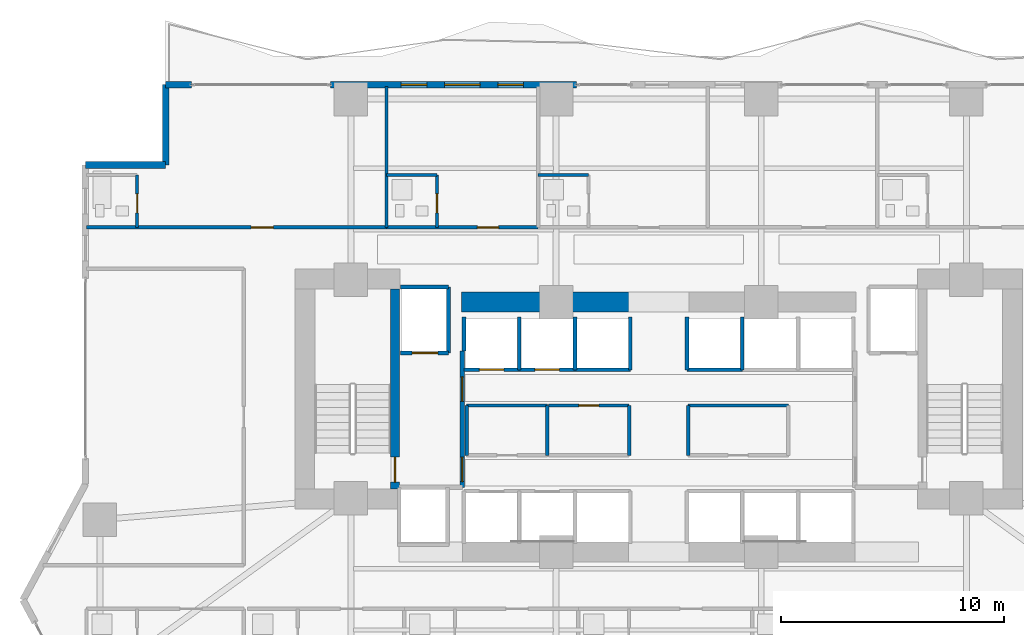
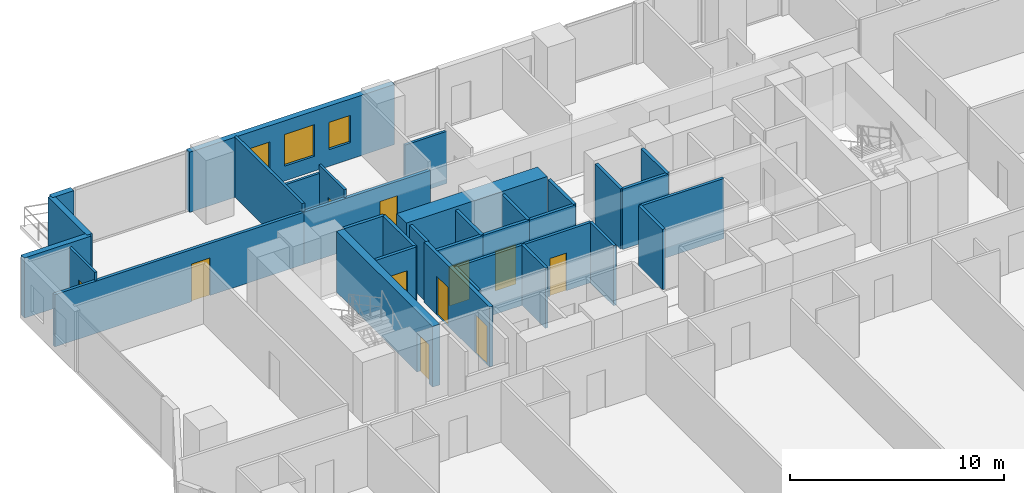
# One storey, part 21 of 28: 34 walls, 11 doors, 3 windows, 14 openings.
"""IFC4 building model written with IfcOpenShell, lengths in metres."""

from ifc_helpers import new_model, si_unit, direction, frame, frame_2d, origin, place, context, subcontext, project, spatial, rectangle, extrude, material, layer, layer_set, type_object, element, fill, save


model = new_model("IFC4")

# Units and contexts
model_context = context("Model", 3, precision=1e-05, world=origin(), true_north=direction((0.0, 1.0)))
body_context = subcontext(model_context, "Body", "Model", "MODEL_VIEW")
ifc_project = project(units=[si_unit("LENGTHUNIT", "METRE"), si_unit("AREAUNIT", "SQUARE_METRE"), si_unit("VOLUMEUNIT", "CUBIC_METRE"), si_unit("PLANEANGLEUNIT", "RADIAN"), si_unit("MASSUNIT", "GRAM", prefix="KILO")], contexts=[model_context])

# Site, building, storey
site_placement = place(None, origin())
site = spatial("IfcSite", under=ifc_project, at=site_placement, CompositionType="ELEMENT")
building_placement = place(site_placement, origin())
building = spatial("IfcBuilding", under=site, at=building_placement, Name="Zuhayl Quay Hotel", CompositionType="ELEMENT")
storey_placement = place(building_placement, frame((0.0, 0.0, 49.5)))
storey = spatial("IfcBuildingStorey", under=building, at=storey_placement, Name="L11", CompositionType="ELEMENT", Elevation=49.5)

# Walls
ifc_material_1 = material(Name="Concrete C70/85", Category="concrete")
ifc_layer_1 = layer(ifc_material_1, 0.89990234375, Name="Concrete C70/85", Category="concrete")
ifc_layer_set_1 = layer_set([ifc_layer_1], Name="Concrete C70/85")
wall_type_1 = type_object("IfcWallType", Name="WL_CORE_900", PredefinedType="SHEAR", material=ifc_layer_set_1)
wall_1_placement = place(storey_placement, frame((-8.85009765625, 13.35009765625, 0.0), z_axis=(0.0, 0.0, 1.0), x_axis=(1.0, 0.0, 0.0)))
element("IfcWall", 1, at=wall_1_placement, inside=storey, type_object=wall_type_1, Name="L11 Core Shear Wall CW_NC_W", PredefinedType="SHEAR", context=body_context, shape_type="SweptSolid", body=[
    extrude(rectangle(XDim=7.60009765625, YDim=0.89990234375, at=frame_2d((3.800048828125, 0.0))), origin(), (0.0, 0.0, 1.0), 3.429931640625),
])
ifc_material_2 = material(Name="Precast concrete C45/55", Category="concrete")
ifc_layer_2 = layer(ifc_material_2, 0.300048828125, Name="Precast concrete C45/55", Category="concrete")
ifc_layer_set_2 = layer_set([ifc_layer_2], Name="Precast concrete C45/55")
wall_type_2 = type_object("IfcWallType", Name="WL_EXT_300", PredefinedType="STANDARD", material=ifc_layer_set_2)
wall_2_placement = place(storey_placement, frame((-25.699951171875, 19.5, 0.0), z_axis=(0.0, 0.0, 1.0), x_axis=(1.0, 0.0, 0.0)))
element("IfcWall", 2, at=wall_2_placement, inside=storey, type_object=wall_type_2, Name="L11 Exterior Precast Wall ENV_L11_EW06", PredefinedType="STANDARD", context=body_context, shape_type="SweptSolid", body=[
    extrude(rectangle(XDim=3.599853515625, YDim=0.300048828125, at=frame_2d((1.7998046875, 0.0))), origin(), (0.0, 0.0, 1.0), 3.429931640625),
])
wall_3_placement = place(storey_placement, frame((-22.10009765625, 19.5, 0.0), z_axis=(0.0, 0.0, 1.0), x_axis=(0.0, 1.0, 0.0)))
element("IfcWall", 3, at=wall_3_placement, inside=storey, type_object=wall_type_2, Name="L11 Exterior Precast Wall ENV_L11_EW07", PredefinedType="STANDARD", context=body_context, shape_type="SweptSolid", body=[
    extrude(rectangle(XDim=3.60009765625, YDim=0.300048828125, at=frame_2d((1.800048828125, 0.0))), origin(), (0.0, 0.0, 1.0), 3.429931640625),
])
wall_4_placement = place(storey_placement, frame((-22.10009765625, 23.10009765625, 0.0), z_axis=(0.0, 0.0, 1.0), x_axis=(1.0, 0.0, 0.0)))
element("IfcWall", 4, at=wall_4_placement, inside=storey, type_object=wall_type_2, Name="L11 Exterior Precast Wall ENV_L11_N_EW1", PredefinedType="STANDARD", context=body_context, shape_type="SweptSolid", body=[
    extrude(rectangle(XDim=1.150146484375, YDim=0.300048828125, at=frame_2d((0.5751953125, 0.0))), origin(), (0.0, 0.0, 1.0), 3.429931640625),
])

# Wall, openings, windows
wall_5_placement = place(storey_placement, frame((-14.719970703125, 23.10009765625, 0.0), z_axis=(0.0, 0.0, 1.0), x_axis=(1.0, 0.0, 0.0)))
wall_5 = element("IfcWall", 5, at=wall_5_placement, inside=storey, type_object=wall_type_2, Name="L11 Exterior Precast Wall ENV_L11_N_EW2", PredefinedType="STANDARD", context=body_context, shape_type="SweptSolid", body=[
    extrude(rectangle(XDim=11.0400390625, YDim=0.300048828125, at=frame_2d((5.52001953125, 0.0))), origin(), (0.0, 0.0, 1.0), 3.429931640625),
])
opening_1_placement = place(wall_5_placement, frame((5.1201171875, 0.0, 0.85009765625)))
opening_1 = element("IfcOpeningElement", 6, at=opening_1_placement, cuts=wall_5, Name="Opening W01", PredefinedType="OPENING", context=body_context, shape_type="SweptSolid", body=[
    extrude(rectangle(XDim=1.60009765625, YDim=1.800048828125, at=frame_2d((0.800048828125, 0.89990234375))), frame((0.0, 0.159912109375, 0.0), z_axis=(0.0, -1.0, 0.0), x_axis=(1.0, 0.0, 0.0)), (0.0, 0.0, 1.0), 0.320068359375),
])
opening_2_placement = place(wall_5_placement, frame((3.179931640625, 0.0, 0.949951171875)))
opening_2 = element("IfcOpeningElement", 7, at=opening_2_placement, cuts=wall_5, Name="Opening W01N", PredefinedType="OPENING", context=body_context, shape_type="SweptSolid", body=[
    extrude(rectangle(XDim=1.14990234375, YDim=1.550048828125, at=frame_2d((0.574951171875, 0.77490234375))), frame((0.0, 0.159912109375, 0.0), z_axis=(0.0, -1.0, 0.0), x_axis=(1.0, 0.0, 0.0)), (0.0, 0.0, 1.0), 0.320068359375),
])
opening_3_placement = place(wall_5_placement, frame((7.510009765625, 0.0, 0.949951171875)))
opening_3 = element("IfcOpeningElement", 8, at=opening_3_placement, cuts=wall_5, Name="Opening W01N", PredefinedType="OPENING", context=body_context, shape_type="SweptSolid", body=[
    extrude(rectangle(XDim=1.14990234375, YDim=1.550048828125, at=frame_2d((0.574951171875, 0.77490234375))), frame((0.0, 0.159912109375, 0.0), z_axis=(0.0, -1.0, 0.0), x_axis=(1.0, 0.0, 0.0)), (0.0, 0.0, 1.0), 0.320068359375),
])
ifc_material_3 = material(Name="Dark Ceramic-Fritted Solar Glass", Category="glass")
window_type_1 = type_object("IfcWindowType", Name="WN_NOTCH_1350", PartitioningType="SINGLE_PANEL", PredefinedType="WINDOW", material=ifc_material_3)
window_1_placement = place(opening_2_placement, origin())
window_1 = element("IfcWindow", 9, at=window_1_placement, inside=storey, type_object=window_type_1, Name="L11 Operable Facade Window 2-1", OverallHeight=1.550048828125, OverallWidth=1.14990234375, PartitioningType="SINGLE_PANEL", PredefinedType="WINDOW", context=body_context, shape_type="SweptSolid", body=[
    extrude(rectangle(XDim=1.14990234375, YDim=1.550048828125, at=frame_2d((0.574951171875, 0.77490234375))), frame((0.0, 0.030029296875, 0.0), z_axis=(0.0, -1.0, 0.0), x_axis=(1.0, 0.0, 0.0)), (0.0, 0.0, 1.0), 0.06005859375),
])
fill(opening_2, window_1)
window_2_placement = place(opening_3_placement, origin())
window_2 = element("IfcWindow", 10, at=window_2_placement, inside=storey, type_object=window_type_1, Name="L11 Operable Facade Window 2-2", OverallHeight=1.550048828125, OverallWidth=1.14990234375, PartitioningType="SINGLE_PANEL", PredefinedType="WINDOW", context=body_context, shape_type="SweptSolid", body=[
    extrude(rectangle(XDim=1.14990234375, YDim=1.550048828125, at=frame_2d((0.574951171875, 0.77490234375))), frame((0.0, 0.030029296875, 0.0), z_axis=(0.0, -1.0, 0.0), x_axis=(1.0, 0.0, 0.0)), (0.0, 0.0, 1.0), 0.06005859375),
])
fill(opening_3, window_2)
window_type_2 = type_object("IfcWindowType", Name="WN_OPERABLE_1600", PartitioningType="DOUBLE_PANEL_VERTICAL", PredefinedType="WINDOW", material=ifc_material_3)
window_3_placement = place(opening_1_placement, origin())
window_3 = element("IfcWindow", 11, at=window_3_placement, inside=storey, type_object=window_type_2, Name="L11 North Operable Casement Window", OverallHeight=1.800048828125, OverallWidth=1.60009765625, PartitioningType="SINGLE_PANEL", PredefinedType="WINDOW", context=body_context, shape_type="SweptSolid", body=[
    extrude(rectangle(XDim=1.60009765625, YDim=1.800048828125, at=frame_2d((0.800048828125, 0.89990234375))), frame((0.0, 0.030029296875, 0.0), z_axis=(0.0, -1.0, 0.0), x_axis=(1.0, 0.0, 0.0)), (0.0, 0.0, 1.0), 0.06005859375),
])
fill(opening_1, window_3)

# Wall, opening, door
ifc_material_4 = material(Name="Acoustic Gypsum Partition STC-58")
ifc_layer_3 = layer(ifc_material_4, 0.14990234375, Name="Acoustic Gypsum Partition STC-58")
ifc_layer_set_3 = layer_set([ifc_layer_3], Name="Acoustic Gypsum Partition STC-58")
wall_type_3 = type_object("IfcWallType", Name="WL_PART_150", PredefinedType="PARTITIONING", material=ifc_layer_set_3)
wall_6_placement = place(storey_placement, frame((-4.929931640625, 8.719970703125, 0.0), z_axis=(0.0, 0.0, 1.0), x_axis=(1.0, 0.0, 0.0)))
wall_6 = element("IfcWall", 12, at=wall_6_placement, inside=storey, type_object=wall_type_3, Name="L11 Partition IW_L11_CORE_BM_N", PredefinedType="PARTITIONING", context=body_context, shape_type="SweptSolid", body=[
    extrude(rectangle(XDim=3.60986328125, YDim=0.14990234375, at=frame_2d((1.804931640625, 0.0))), origin(), (0.0, 0.0, 1.0), 3.429931640625),
])
opening_4_placement = place(wall_6_placement, frame((1.35498046875, 0.0, 0.0)))
opening_4 = element("IfcOpeningElement", 13, at=opening_4_placement, cuts=wall_6, Name="Opening D06", PredefinedType="OPENING", context=body_context, shape_type="SweptSolid", body=[
    extrude(rectangle(XDim=0.89990234375, YDim=2.14990234375, at=frame_2d((0.449951171875, 1.074951171875))), frame((0.0, 0.0849609375, 0.0), z_axis=(0.0, -1.0, 0.0), x_axis=(1.0, 0.0, 0.0)), (0.0, 0.0, 1.0), 0.169921875),
])
ifc_material_5 = material(Name="Steel ASTM A992 Grade 50", Category="steel")
door_type_1 = type_object("IfcDoorType", Name="DR_INT_900", OperationType="NOTDEFINED", PredefinedType="DOOR", material=ifc_material_5)
door_1_placement = place(opening_4_placement, origin())
door_1 = element("IfcDoor", 14, at=door_1_placement, inside=storey, type_object=door_type_1, Name="L11 Telecom and BMS Closet Door", OperationType="SINGLE_SWING_LEFT", OverallHeight=2.14990234375, OverallWidth=0.89990234375, PredefinedType="DOOR", context=body_context, shape_type="SweptSolid", body=[
    extrude(rectangle(XDim=0.89990234375, YDim=2.14990234375, at=frame_2d((0.449951171875, 1.074951171875))), frame((0.0, 0.02490234375, 0.0), z_axis=(0.0, -1.0, 0.0), x_axis=(1.0, 0.0, 0.0)), (0.0, 0.0, 1.0), 0.050048828125),
])
fill(opening_4, door_1)

# Walls
wall_7_placement = place(storey_placement, frame((-8.610107421875, 8.719970703125, 0.0), z_axis=(0.0, 0.0, 1.0), x_axis=(1.0, 0.0, 0.0)))
element("IfcWall", 15, at=wall_7_placement, inside=storey, type_object=wall_type_3, Name="L11 Partition IW_L11_CORE_SW_N", PredefinedType="PARTITIONING", context=body_context, shape_type="SweptSolid", body=[
    extrude(rectangle(XDim=3.6201171875, YDim=0.14990234375, at=frame_2d((1.81005859375, 0.0))), origin(), (0.0, 0.0, 1.0), 3.429931640625),
])
for number, where, z_axis, x_axis, name in (
    (16, (-8.610107421875, 6.47998046875, 0.0), (0.0, 0.0, 1.0), (0.0, 1.0, 0.0), "L11 Partition IW_L11_CORE_SW_W"),
    (17, (-4.989990234375, 6.47998046875, 0.0), (0.0, 0.0, 1.0), (0.0, 1.0, 0.0), "L11 Partition IW_L11_CORE_SW_E"),
    (18, (-1.320068359375, 6.47998046875, 0.0), (0.0, 0.0, 1.0), (0.0, 1.0, 0.0), "L11 Partition IW_L11_CORE_BM_E"),
):
    element("IfcWall", number, at=place(storey_placement, frame(where, z_axis=z_axis, x_axis=x_axis)), inside=storey, type_object=wall_type_3, Name=name, PredefinedType="PARTITIONING", context=body_context, shape_type="SweptSolid", body=[
        extrude(rectangle(XDim=2.239990234375, YDim=0.14990234375, at=frame_2d((1.1201171875, 0.0))), origin(), (0.0, 0.0, 1.0), 3.429931640625),
    ])
wall_8_placement = place(storey_placement, frame((1.320068359375, 8.719970703125, 0.0), z_axis=(0.0, 0.0, 1.0), x_axis=(1.0, 0.0, 0.0)))
element("IfcWall", 19, at=wall_8_placement, inside=storey, type_object=wall_type_3, Name="L11 Partition IW_L11_CORE_PN_N", PredefinedType="PARTITIONING", context=body_context, shape_type="SweptSolid", body=[
    extrude(rectangle(XDim=4.489990234375, YDim=0.14990234375, at=frame_2d((2.2451171875, 0.0))), origin(), (0.0, 0.0, 1.0), 3.429931640625),
])
wall_9_placement = place(storey_placement, frame((1.320068359375, 6.47998046875, 0.0), z_axis=(0.0, 0.0, 1.0), x_axis=(0.0, 1.0, 0.0)))
element("IfcWall", 20, at=wall_9_placement, inside=storey, type_object=wall_type_3, Name="L11 Partition IW_L11_CORE_PN_W", PredefinedType="PARTITIONING", context=body_context, shape_type="SweptSolid", body=[
    extrude(rectangle(XDim=2.239990234375, YDim=0.14990234375, at=frame_2d((1.1201171875, 0.0))), origin(), (0.0, 0.0, 1.0), 3.429931640625),
])
wall_10_placement = place(storey_placement, frame((-12.199951171875, 16.699951171875, 0.0), z_axis=(0.0, 0.0, 1.0), x_axis=(0.0, 1.0, 0.0)))
element("IfcWall", 21, at=wall_10_placement, inside=storey, type_object=wall_type_3, Name="L11 Partition IW_L11_NU01_E", PredefinedType="PARTITIONING", context=body_context, shape_type="SweptSolid", body=[
    extrude(rectangle(XDim=6.320068359375, YDim=0.14990234375, at=frame_2d((3.16015625, 0.0))), origin(), (0.0, 0.0, 1.0), 3.429931640625),
])

# Wall, opening, door
ifc_layer_4 = layer(ifc_material_4, 0.159912109375, Name="Acoustic Gypsum Partition STC-58")
ifc_layer_set_4 = layer_set([ifc_layer_4], Name="Acoustic Gypsum Partition STC-58")
wall_type_4 = type_object("IfcWallType", Name="WL_PART_CORR_160", PredefinedType="PARTITIONING", material=ifc_layer_set_4)
wall_11_placement = place(storey_placement, frame((-25.639892578125, 16.699951171875, 0.0), z_axis=(0.0, 0.0, 1.0), x_axis=(1.0, 0.0, 0.0)))
wall_11 = element("IfcWall", 22, at=wall_11_placement, inside=storey, type_object=wall_type_4, Name="L11 Partition IW_L11_NU01_COR", PredefinedType="PARTITIONING", context=body_context, shape_type="SweptSolid", body=[
    extrude(rectangle(XDim=13.43994140625, YDim=0.159912109375, at=frame_2d((6.719970703125, 0.0))), origin(), (0.0, 0.0, 1.0), 2.972900390625),
])
opening_5_placement = place(wall_11_placement, frame((7.3701171875, 0.0, 0.0)))
opening_5 = element("IfcOpeningElement", 23, at=opening_5_placement, cuts=wall_11, Name="Opening D03L", PredefinedType="OPENING", context=body_context, shape_type="SweptSolid", body=[
    extrude(rectangle(XDim=1.0, YDim=2.14990234375, at=frame_2d((0.5, 1.074951171875))), frame((0.0, 0.08984375, 0.0), z_axis=(0.0, -1.0, 0.0), x_axis=(1.0, 0.0, 0.0)), (0.0, 0.0, 1.0), 0.179931640625),
])
ifc_material_6 = material(Name="Solid Walnut Acoustic Fire Door")
door_type_2 = type_object("IfcDoorType", Name="DR_SUITE_1000", OperationType="NOTDEFINED", PredefinedType="DOOR", material=ifc_material_6)
door_2_placement = place(opening_5_placement, origin())
door_2 = element("IfcDoor", 24, at=door_2_placement, inside=storey, type_object=door_type_2, Name="L11 Deluxe Gulf Guest Room L11-01 Entrance Door", OperationType="SINGLE_SWING_RIGHT", OverallHeight=2.14990234375, OverallWidth=1.0, PredefinedType="DOOR", context=body_context, shape_type="SweptSolid", body=[
    extrude(rectangle(XDim=1.0, YDim=2.14990234375, at=frame_2d((0.5, 1.074951171875))), frame((0.0, 0.02490234375, 0.0), z_axis=(0.0, -1.0, 0.0), x_axis=(1.0, 0.0, 0.0)), (0.0, 0.0, 1.0), 0.050048828125),
])
fill(opening_5, door_2)

wall_12_placement = place(storey_placement, frame((-12.199951171875, 16.699951171875, 0.0), z_axis=(0.0, 0.0, 1.0), x_axis=(1.0, 0.0, 0.0)))
wall_12 = element("IfcWall", 25, at=wall_12_placement, inside=storey, type_object=wall_type_4, Name="L11 Partition IW_L11_NU02_COR", PredefinedType="PARTITIONING", context=body_context, shape_type="SweptSolid", body=[
    extrude(rectangle(XDim=6.800048828125, YDim=0.159912109375, at=frame_2d((3.39990234375, 0.0))), origin(), (0.0, 0.0, 1.0), 2.972900390625),
])
opening_6_placement = place(wall_12_placement, frame((4.074951171875, 0.0, 0.0)))
opening_6 = element("IfcOpeningElement", 26, at=opening_6_placement, cuts=wall_12, Name="Opening D03", PredefinedType="OPENING", context=body_context, shape_type="SweptSolid", body=[
    extrude(rectangle(XDim=0.949951171875, YDim=2.14990234375, at=frame_2d((0.47509765625, 1.074951171875))), frame((0.0, 0.08984375, 0.0), z_axis=(0.0, -1.0, 0.0), x_axis=(1.0, 0.0, 0.0)), (0.0, 0.0, 1.0), 0.179931640625),
])
door_type_3 = type_object("IfcDoorType", Name="DR_SUITE_950", OperationType="NOTDEFINED", PredefinedType="DOOR", material=ifc_material_6)
door_3_placement = place(opening_6_placement, origin())
door_3 = element("IfcDoor", 27, at=door_3_placement, inside=storey, type_object=door_type_3, Name="L11 Deluxe Gulf Guest Room L11-02 Entrance Door", OperationType="SINGLE_SWING_RIGHT", OverallHeight=2.14990234375, OverallWidth=0.949951171875, PredefinedType="DOOR", context=body_context, shape_type="SweptSolid", body=[
    extrude(rectangle(XDim=0.949951171875, YDim=2.14990234375, at=frame_2d((0.47509765625, 1.074951171875))), frame((0.0, 0.02490234375, 0.0), z_axis=(0.0, -1.0, 0.0), x_axis=(1.0, 0.0, 0.0)), (0.0, 0.0, 1.0), 0.050048828125),
])
fill(opening_6, door_3)

ifc_material_7 = material(Name="Moisture-Resistant Sanitarychase Gypsum")
ifc_layer_5 = layer(ifc_material_7, 0.135009765625, Name="Moisture-Resistant Sanitarychase Gypsum")
ifc_layer_set_5 = layer_set([ifc_layer_5], Name="Moisture-Resistant Sanitarychase Gypsum")
wall_type_5 = type_object("IfcWallType", Name="WL_PART_PLUMB_150", PredefinedType="PLUMBINGWALL", material=ifc_layer_set_5)
wall_13_placement = place(storey_placement, frame((-23.3798828125, 16.699951171875, 0.0), z_axis=(0.0, 0.0, 1.0), x_axis=(0.0, 1.0, 0.0)))
wall_13 = element("IfcWall", 28, at=wall_13_placement, inside=storey, type_object=wall_type_5, Name="L11 Partition IW_L11_NU01_BE", PredefinedType="PLUMBINGWALL", context=body_context, shape_type="SweptSolid", body=[
    extrude(rectangle(XDim=2.360107421875, YDim=0.135009765625, at=frame_2d((1.18017578125, 0.0))), origin(), (0.0, 0.0, 1.0), 3.429931640625),
])
opening_7_placement = place(wall_13_placement, frame((0.64990234375, 0.0, 0.0)))
opening_7 = element("IfcOpeningElement", 29, at=opening_7_placement, cuts=wall_13, Name="Opening D04", PredefinedType="OPENING", context=body_context, shape_type="SweptSolid", body=[
    extrude(rectangle(XDim=0.85009765625, YDim=2.10009765625, at=frame_2d((0.425048828125, 1.050048828125))), frame((0.0, 0.077392578125, 0.0), z_axis=(0.0, -1.0, 0.0), x_axis=(1.0, 0.0, 0.0)), (0.0, 0.0, 1.0), 0.155029296875),
])
ifc_material_8 = material(Name="Moisture-Resistant Walnut Veneer")
door_type_4 = type_object("IfcDoorType", Name="DR_BATH_850", OperationType="NOTDEFINED", PredefinedType="DOOR", material=ifc_material_8)
door_4_placement = place(opening_7_placement, origin())
door_4 = element("IfcDoor", 30, at=door_4_placement, inside=storey, type_object=door_type_4, Name="L11 Deluxe Gulf Guest Room L11-01 En-Suite Door", OperationType="SINGLE_SWING_LEFT", OverallHeight=2.10009765625, OverallWidth=0.85009765625, PredefinedType="DOOR", context=body_context, shape_type="SweptSolid", body=[
    extrude(rectangle(XDim=0.85009765625, YDim=2.10009765625, at=frame_2d((0.425048828125, 1.050048828125))), frame((0.0, 0.02490234375, 0.0), z_axis=(0.0, -1.0, 0.0), x_axis=(1.0, 0.0, 0.0)), (0.0, 0.0, 1.0), 0.050048828125),
])
fill(opening_7, door_4)

wall_14_placement = place(storey_placement, frame((-9.93994140625, 16.699951171875, 0.0), z_axis=(0.0, 0.0, 1.0), x_axis=(0.0, 1.0, 0.0)))
wall_14 = element("IfcWall", 31, at=wall_14_placement, inside=storey, type_object=wall_type_5, Name="L11 Partition IW_L11_NU02_BE", PredefinedType="PLUMBINGWALL", context=body_context, shape_type="SweptSolid", body=[
    extrude(rectangle(XDim=2.360107421875, YDim=0.135009765625, at=frame_2d((1.18017578125, 0.0))), origin(), (0.0, 0.0, 1.0), 3.429931640625),
])
opening_8_placement = place(wall_14_placement, frame((0.64990234375, 0.0, 0.0)))
opening_8 = element("IfcOpeningElement", 32, at=opening_8_placement, cuts=wall_14, Name="Opening D04", PredefinedType="OPENING", context=body_context, shape_type="SweptSolid", body=[
    extrude(rectangle(XDim=0.85009765625, YDim=2.10009765625, at=frame_2d((0.425048828125, 1.050048828125))), frame((0.0, 0.077392578125, 0.0), z_axis=(0.0, -1.0, 0.0), x_axis=(1.0, 0.0, 0.0)), (0.0, 0.0, 1.0), 0.155029296875),
])
door_5_placement = place(opening_8_placement, origin())
door_5 = element("IfcDoor", 33, at=door_5_placement, inside=storey, type_object=door_type_4, Name="L11 Deluxe Gulf Guest Room L11-02 En-Suite Door", OperationType="SINGLE_SWING_LEFT", OverallHeight=2.10009765625, OverallWidth=0.85009765625, PredefinedType="DOOR", context=body_context, shape_type="SweptSolid", body=[
    extrude(rectangle(XDim=0.85009765625, YDim=2.10009765625, at=frame_2d((0.425048828125, 1.050048828125))), frame((0.0, 0.02490234375, 0.0), z_axis=(0.0, -1.0, 0.0), x_axis=(1.0, 0.0, 0.0)), (0.0, 0.0, 1.0), 0.050048828125),
])
fill(opening_8, door_5)

# Walls
for number, where, z_axis, x_axis, name in (
    (34, (-12.199951171875, 19.06005859375, 0.0), (0.0, 0.0, 1.0), (1.0, 0.0, 0.0), "L11 Partition IW_L11_NU02_BN"),
    (35, (-5.39990234375, 19.06005859375, 0.0), (0.0, 0.0, 1.0), (1.0, 0.0, 0.0), "L11 Partition IW_L11_NU03_BN"),
):
    element("IfcWall", number, at=place(storey_placement, frame(where, z_axis=z_axis, x_axis=x_axis)), inside=storey, type_object=wall_type_5, Name=name, PredefinedType="PLUMBINGWALL", context=body_context, shape_type="SweptSolid", body=[
        extrude(rectangle(XDim=2.260009765625, YDim=0.135009765625, at=frame_2d((1.1298828125, 0.0))), origin(), (0.0, 0.0, 1.0), 2.972900390625),
    ])

# Wall, opening, door
ifc_material_9 = material(Name="Gypsum Fireboard Assembly EI-90")
ifc_layer_6 = layer(ifc_material_9, 0.1650390625, Name="Gypsum Fireboard Assembly EI-90")
ifc_layer_set_6 = layer_set([ifc_layer_6], Name="Gypsum Fireboard Assembly EI-90")
wall_type_6 = type_object("IfcWallType", Name="WL_PART_SHAFT_160", PredefinedType="PARTITIONING", material=ifc_layer_set_6)
wall_15_placement = place(storey_placement, frame((-11.580078125, 11.070068359375, 0.0), z_axis=(0.0, 0.0, 1.0), x_axis=(1.0, 0.0, 0.0)))
wall_15 = element("IfcWall", 36, at=wall_15_placement, inside=storey, type_object=wall_type_6, Name="L11 Partition IW_L11_SH_FL1_F", PredefinedType="PARTITIONING", context=body_context, shape_type="SweptSolid", body=[
    extrude(rectangle(XDim=2.16015625, YDim=0.1650390625, at=frame_2d((1.080078125, 0.0))), origin(), (0.0, 0.0, 1.0), 3.429931640625),
])
opening_9_placement = place(wall_15_placement, frame((0.530029296875, 0.0, 0.0)))
opening_9 = element("IfcOpeningElement", 37, at=opening_9_placement, cuts=wall_15, Name="Opening LD2", PredefinedType="OPENING", context=body_context, shape_type="SweptSolid", body=[
    extrude(rectangle(XDim=1.14990234375, YDim=2.25, at=frame_2d((0.574951171875, 1.125))), frame((0.0, 0.092529296875, 0.0), z_axis=(0.0, -1.0, 0.0), x_axis=(1.0, 0.0, 0.0)), (0.0, 0.0, 1.0), 0.18505859375),
])
ifc_material_10 = material(Name="Brushed Stainless Steel", Category="steel")
door_type_5 = type_object("IfcDoorType", Name="DR_LIFT_FF_1100", OperationType="SLIDING_TO_LEFT", PredefinedType="DOOR", material=ifc_material_10)
door_6_placement = place(opening_9_placement, origin())
door_6 = element("IfcDoor", 38, at=door_6_placement, inside=storey, type_object=door_type_5, Name="L11 Lift FL1 Sliding Landing Door", OperationType="SLIDING_TO_LEFT", OverallHeight=2.25, OverallWidth=1.14990234375, PredefinedType="DOOR", context=body_context, shape_type="SweptSolid", body=[
    extrude(rectangle(XDim=1.14990234375, YDim=2.25, at=frame_2d((0.574951171875, 1.125))), frame((0.0, 0.02490234375, 0.0), z_axis=(0.0, -1.0, 0.0), x_axis=(1.0, 0.0, 0.0)), (0.0, 0.0, 1.0), 0.050048828125),
])
fill(opening_9, door_6)

wall_16_placement = place(storey_placement, frame((-8.72998046875, 10.320068359375, 0.0), z_axis=(0.0, 0.0, 1.0), x_axis=(1.0, 0.0, 0.0)))
wall_16 = element("IfcWall", 39, at=wall_16_placement, inside=storey, type_object=wall_type_6, Name="L11 Partition IW_L11_SH_LP3_F", PredefinedType="PARTITIONING", context=body_context, shape_type="SweptSolid", body=[
    extrude(rectangle(XDim=2.47998046875, YDim=0.1650390625, at=frame_2d((1.239990234375, 0.0))), origin(), (0.0, 0.0, 1.0), 3.429931640625),
])
opening_10_placement = place(wall_16_placement, frame((0.68994140625, 0.0, 0.0)))
opening_10 = element("IfcOpeningElement", 40, at=opening_10_placement, cuts=wall_16, Name="Opening LD1", PredefinedType="OPENING", context=body_context, shape_type="SweptSolid", body=[
    extrude(rectangle(XDim=1.10009765625, YDim=2.25, at=frame_2d((0.550048828125, 1.125))), frame((0.0, 0.092529296875, 0.0), z_axis=(0.0, -1.0, 0.0), x_axis=(1.0, 0.0, 0.0)), (0.0, 0.0, 1.0), 0.18505859375),
])
door_type_6 = type_object("IfcDoorType", Name="DR_LIFT_PASS_1100", OperationType="SLIDING_TO_LEFT", PredefinedType="DOOR", material=ifc_material_10)
door_7_placement = place(opening_10_placement, origin())
door_7 = element("IfcDoor", 41, at=door_7_placement, inside=storey, type_object=door_type_6, Name="L11 Lift LP3 Sliding Landing Door", OperationType="SLIDING_TO_LEFT", OverallHeight=2.25, OverallWidth=1.10009765625, PredefinedType="DOOR", context=body_context, shape_type="SweptSolid", body=[
    extrude(rectangle(XDim=1.10009765625, YDim=2.25, at=frame_2d((0.550048828125, 1.125))), frame((0.0, 0.02490234375, 0.0), z_axis=(0.0, -1.0, 0.0), x_axis=(1.0, 0.0, 0.0)), (0.0, 0.0, 1.0), 0.050048828125),
])
fill(opening_10, door_7)

wall_17_placement = place(storey_placement, frame((-6.25, 10.320068359375, 0.0), z_axis=(0.0, 0.0, 1.0), x_axis=(1.0, 0.0, 0.0)))
wall_17 = element("IfcWall", 42, at=wall_17_placement, inside=storey, type_object=wall_type_6, Name="L11 Partition IW_L11_SH_LP4_F", PredefinedType="PARTITIONING", context=body_context, shape_type="SweptSolid", body=[
    extrude(rectangle(XDim=2.5, YDim=0.1650390625, at=frame_2d((1.25, 0.0))), origin(), (0.0, 0.0, 1.0), 3.429931640625),
])
opening_11_placement = place(wall_17_placement, frame((0.699951171875, 0.0, 0.0)))
opening_11 = element("IfcOpeningElement", 43, at=opening_11_placement, cuts=wall_17, Name="Opening LD1", PredefinedType="OPENING", context=body_context, shape_type="SweptSolid", body=[
    extrude(rectangle(XDim=1.10009765625, YDim=2.25, at=frame_2d((0.550048828125, 1.125))), frame((0.0, 0.092529296875, 0.0), z_axis=(0.0, -1.0, 0.0), x_axis=(1.0, 0.0, 0.0)), (0.0, 0.0, 1.0), 0.18505859375),
])
door_8_placement = place(opening_11_placement, origin())
door_8 = element("IfcDoor", 44, at=door_8_placement, inside=storey, type_object=door_type_6, Name="L11 Lift LP4 Sliding Landing Door", OperationType="SLIDING_TO_LEFT", OverallHeight=2.25, OverallWidth=1.10009765625, PredefinedType="DOOR", context=body_context, shape_type="SweptSolid", body=[
    extrude(rectangle(XDim=1.10009765625, YDim=2.25, at=frame_2d((0.550048828125, 1.125))), frame((0.0, 0.02490234375, 0.0), z_axis=(0.0, -1.0, 0.0), x_axis=(1.0, 0.0, 0.0)), (0.0, 0.0, 1.0), 0.050048828125),
])
fill(opening_11, door_8)

# Walls
wall_18_placement = place(storey_placement, frame((-9.419921875, 11.070068359375, 0.0), z_axis=(0.0, 0.0, 1.0), x_axis=(0.0, 1.0, 0.0)))
element("IfcWall", 45, at=wall_18_placement, inside=storey, type_object=wall_type_6, Name="L11 Partition IW_L11_SH_FL1_E", PredefinedType="PARTITIONING", context=body_context, shape_type="SweptSolid", body=[
    extrude(rectangle(XDim=2.9599609375, YDim=0.1650390625, at=frame_2d((1.47998046875, 0.0))), origin(), (0.0, 0.0, 1.0), 3.429931640625),
])
wall_19_placement = place(storey_placement, frame((-11.580078125, 14.030029296875, 0.0), z_axis=(0.0, 0.0, 1.0), x_axis=(1.0, 0.0, 0.0)))
element("IfcWall", 46, at=wall_19_placement, inside=storey, type_object=wall_type_6, Name="L11 Partition IW_L11_SH_FL1_B", PredefinedType="PARTITIONING", context=body_context, shape_type="SweptSolid", body=[
    extrude(rectangle(XDim=2.16015625, YDim=0.1650390625, at=frame_2d((1.080078125, 0.0))), origin(), (0.0, 0.0, 1.0), 3.429931640625),
])
wall_20_placement = place(storey_placement, frame((-8.72998046875, 11.14990234375, 0.0), z_axis=(0.0, 0.0, 1.0), x_axis=(0.0, 1.0, 0.0)))
element("IfcWall", 47, at=wall_20_placement, inside=storey, type_object=wall_type_6, Name="L11 Partition IW_L11_SH_LP3_W", PredefinedType="PARTITIONING", context=body_context, shape_type="SweptSolid", body=[
    extrude(rectangle(XDim=1.530029296875, YDim=0.1650390625, at=frame_2d((0.76513671875, 0.0))), origin(), (0.0, 0.0, 1.0), 3.429931640625),
])
for number, where, z_axis, x_axis, name in (
    (48, (-6.25, 10.320068359375, 0.0), (0.0, 0.0, 1.0), (0.0, 1.0, 0.0), "L11 Partition IW_L11_SH_LP3_E"),
    (49, (-3.75, 10.320068359375, 0.0), (0.0, 0.0, 1.0), (0.0, 1.0, 0.0), "L11 Partition IW_L11_SH_LP4_E"),
):
    element("IfcWall", number, at=place(storey_placement, frame(where, z_axis=z_axis, x_axis=x_axis)), inside=storey, type_object=wall_type_6, Name=name, PredefinedType="PARTITIONING", context=body_context, shape_type="SweptSolid", body=[
        extrude(rectangle(XDim=2.35986328125, YDim=0.1650390625, at=frame_2d((1.179931640625, 0.0))), origin(), (0.0, 0.0, 1.0), 3.429931640625),
    ])
wall_21_placement = place(storey_placement, frame((-3.75, 10.320068359375, 0.0), z_axis=(0.0, 0.0, 1.0), x_axis=(1.0, 0.0, 0.0)))
element("IfcWall", 50, at=wall_21_placement, inside=storey, type_object=wall_type_6, Name="L11 Partition IW_L11_SH_MP3_F", PredefinedType="PARTITIONING", context=body_context, shape_type="SweptSolid", body=[
    extrude(rectangle(XDim=2.47998046875, YDim=0.1650390625, at=frame_2d((1.239990234375, 0.0))), origin(), (0.0, 0.0, 1.0), 3.429931640625),
])
wall_22_placement = place(storey_placement, frame((-1.27001953125, 10.320068359375, 0.0), z_axis=(0.0, 0.0, 1.0), x_axis=(0.0, 1.0, 0.0)))
element("IfcWall", 51, at=wall_22_placement, inside=storey, type_object=wall_type_6, Name="L11 Partition IW_L11_SH_MP3_E", PredefinedType="PARTITIONING", context=body_context, shape_type="SweptSolid", body=[
    extrude(rectangle(XDim=2.35986328125, YDim=0.1650390625, at=frame_2d((1.179931640625, 0.0))), origin(), (0.0, 0.0, 1.0), 3.429931640625),
])
wall_23_placement = place(storey_placement, frame((1.27001953125, 10.320068359375, 0.0), z_axis=(0.0, 0.0, 1.0), x_axis=(1.0, 0.0, 0.0)))
element("IfcWall", 52, at=wall_23_placement, inside=storey, type_object=wall_type_6, Name="L11 Partition IW_L11_SH_MP4_F", PredefinedType="PARTITIONING", context=body_context, shape_type="SweptSolid", body=[
    extrude(rectangle(XDim=2.47998046875, YDim=0.1650390625, at=frame_2d((1.239990234375, 0.0))), origin(), (0.0, 0.0, 1.0), 3.429931640625),
])
for number, where, z_axis, x_axis, name in (
    (53, (1.27001953125, 10.320068359375, 0.0), (0.0, 0.0, 1.0), (0.0, 1.0, 0.0), "L11 Partition IW_L11_SH_MP4_W"),
    (54, (3.75, 10.320068359375, 0.0), (0.0, 0.0, 1.0), (0.0, 1.0, 0.0), "L11 Partition IW_L11_SH_MP4_E"),
):
    element("IfcWall", number, at=place(storey_placement, frame(where, z_axis=z_axis, x_axis=x_axis)), inside=storey, type_object=wall_type_6, Name=name, PredefinedType="PARTITIONING", context=body_context, shape_type="SweptSolid", body=[
        extrude(rectangle(XDim=2.35986328125, YDim=0.1650390625, at=frame_2d((1.179931640625, 0.0))), origin(), (0.0, 0.0, 1.0), 3.429931640625),
    ])

# Wall, openings, doors
ifc_material_11 = material(Name="Gypsum Fireboard Assembly EI-120")
ifc_layer_7 = layer(ifc_material_11, 0.199951171875, Name="Gypsum Fireboard Assembly EI-120")
ifc_layer_set_7 = layer_set([ifc_layer_7], Name="Gypsum Fireboard Assembly EI-120")
wall_type_7 = type_object("IfcWallType", Name="WL_PART_SHAFT_200", PredefinedType="PARTITIONING", material=ifc_layer_set_7)
wall_24_placement = place(storey_placement, frame((-8.800048828125, 5.050048828125, 0.0), z_axis=(0.0, 0.0, 1.0), x_axis=(0.0, 1.0, 0.0)))
wall_24 = element("IfcWall", 55, at=wall_24_placement, inside=storey, type_object=wall_type_7, Name="L11 Partition IW_L11_FSAE_W_E", PredefinedType="PARTITIONING", context=body_context, shape_type="SweptSolid", body=[
    extrude(rectangle(XDim=6.099853515625, YDim=0.199951171875, at=frame_2d((3.0498046875, 0.0))), origin(), (0.0, 0.0, 1.0), 3.429931640625),
])
opening_12_placement = place(wall_24_placement, frame((0.25, 0.0, 0.0)))
opening_12 = element("IfcOpeningElement", 56, at=opening_12_placement, cuts=wall_24, Name="Opening D02", PredefinedType="OPENING", context=body_context, shape_type="SweptSolid", body=[
    extrude(rectangle(XDim=1.10009765625, YDim=2.199951171875, at=frame_2d((0.550048828125, 1.10009765625))), frame((0.0, 0.10986328125, 0.0), z_axis=(0.0, -1.0, 0.0), x_axis=(1.0, 0.0, 0.0)), (0.0, 0.0, 1.0), 0.219970703125),
])
opening_13_placement = place(wall_24_placement, frame((3.85009765625, 0.0, 0.0)))
opening_13 = element("IfcOpeningElement", 57, at=opening_13_placement, cuts=wall_24, Name="Opening D02", PredefinedType="OPENING", context=body_context, shape_type="SweptSolid", body=[
    extrude(rectangle(XDim=1.10009765625, YDim=2.199951171875, at=frame_2d((0.550048828125, 1.10009765625))), frame((0.0, 0.10986328125, 0.0), z_axis=(0.0, -1.0, 0.0), x_axis=(1.0, 0.0, 0.0)), (0.0, 0.0, 1.0), 0.219970703125),
])
door_type_7 = type_object("IfcDoorType", Name="DR_FIRE_90_1100", OperationType="NOTDEFINED", PredefinedType="DOOR", material=ifc_material_5)
door_9_placement = place(opening_12_placement, origin())
door_9 = element("IfcDoor", 58, at=door_9_placement, inside=storey, type_object=door_type_7, Name="L11 FSAE Lobby West South Entry Door", OperationType="SINGLE_SWING_RIGHT", OverallHeight=2.199951171875, OverallWidth=1.10009765625, PredefinedType="DOOR", context=body_context, shape_type="SweptSolid", body=[
    extrude(rectangle(XDim=1.10009765625, YDim=2.199951171875, at=frame_2d((0.550048828125, 1.10009765625))), frame((0.0, 0.02490234375, 0.0), z_axis=(0.0, -1.0, 0.0), x_axis=(1.0, 0.0, 0.0)), (0.0, 0.0, 1.0), 0.050048828125),
])
fill(opening_12, door_9)
door_10_placement = place(opening_13_placement, origin())
door_10 = element("IfcDoor", 59, at=door_10_placement, inside=storey, type_object=door_type_7, Name="L11 FSAE Lobby West North Entry Door", OperationType="SINGLE_SWING_LEFT", OverallHeight=2.199951171875, OverallWidth=1.10009765625, PredefinedType="DOOR", context=body_context, shape_type="SweptSolid", body=[
    extrude(rectangle(XDim=1.10009765625, YDim=2.199951171875, at=frame_2d((0.550048828125, 1.10009765625))), frame((0.0, 0.02490234375, 0.0), z_axis=(0.0, -1.0, 0.0), x_axis=(1.0, 0.0, 0.0)), (0.0, 0.0, 1.0), 0.050048828125),
])
fill(opening_13, door_10)

# Wall, opening, door
ifc_material_12 = material(Name="Concrete C60/75", Category="concrete")
ifc_layer_8 = layer(ifc_material_12, 0.39990234375, Name="Concrete C60/75", Category="concrete")
ifc_layer_set_8 = layer_set([ifc_layer_8], Name="Concrete C60/75")
wall_type_8 = type_object("IfcWallType", Name="WL_STAIR_400", PredefinedType="SHEAR", material=ifc_layer_set_8)
wall_25_placement = place(storey_placement, frame((-11.820068359375, 4.969970703125, 0.0), z_axis=(0.0, 0.0, 1.0), x_axis=(0.0, 1.0, 0.0)))
wall_25 = element("IfcWall", 60, at=wall_25_placement, inside=storey, type_object=wall_type_8, Name="L11 Core Shear Wall SW_ST1", PredefinedType="SHEAR", context=body_context, shape_type="SweptSolid", body=[
    extrude(rectangle(XDim=8.9599609375, YDim=0.39990234375, at=frame_2d((4.47998046875, 0.0))), origin(), (0.0, 0.0, 1.0), 3.4599609375),
])
opening_14_placement = place(wall_25_placement, frame((0.31005859375, 0.0, 0.0)))
opening_14 = element("IfcOpeningElement", 61, at=opening_14_placement, cuts=wall_25, Name="Opening D01", PredefinedType="OPENING", context=body_context, shape_type="SweptSolid", body=[
    extrude(rectangle(XDim=1.1201171875, YDim=2.219970703125, at=frame_2d((0.56005859375, 1.10986328125))), frame((0.0, 0.2099609375, 0.0), z_axis=(0.0, -1.0, 0.0), x_axis=(1.0, 0.0, 0.0)), (0.0, 0.0, 1.0), 0.419921875),
])
door_type_8 = type_object("IfcDoorType", Name="DR_STAIR_90_1100", OperationType="NOTDEFINED", PredefinedType="DOOR", material=ifc_material_5)
door_11_placement = place(opening_14_placement, origin())
door_11 = element("IfcDoor", 62, at=door_11_placement, inside=storey, type_object=door_type_8, Name="L11 Smokeproof Exit Stair ST1 Door", OperationType="SINGLE_SWING_LEFT", OverallHeight=2.219970703125, OverallWidth=1.1201171875, PredefinedType="DOOR", context=body_context, shape_type="SweptSolid", body=[
    extrude(rectangle(XDim=1.1201171875, YDim=2.219970703125, at=frame_2d((0.56005859375, 1.10986328125))), frame((0.0, 0.02490234375, 0.0), z_axis=(0.0, -1.0, 0.0), x_axis=(1.0, 0.0, 0.0)), (0.0, 0.0, 1.0), 0.050048828125),
])
fill(opening_14, door_11)

save(model, "model.ifc")
